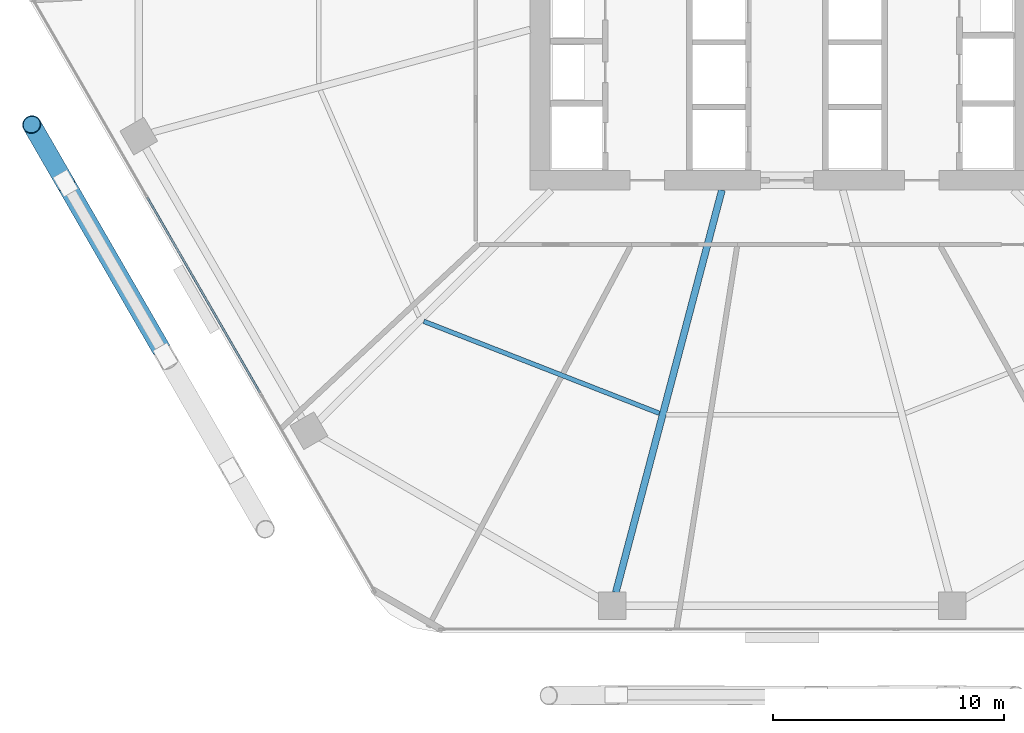
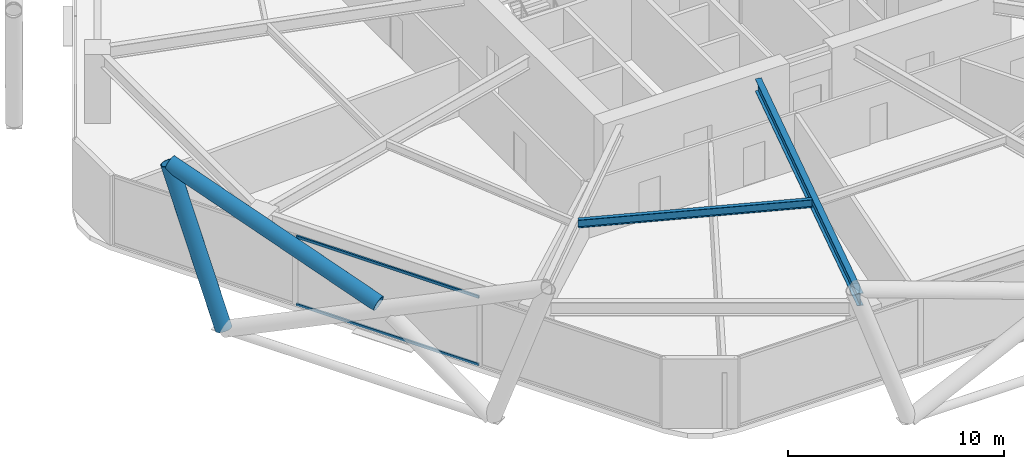
# One storey, part 4 of 30: 4 members, 2 beams, 1 element without a shape of its own.
"""IFC4 building model written with IfcOpenShell, lengths in metres."""

from ifc_helpers import new_model, si_unit, direction, frame, origin, origin_2d, place, context, subcontext, project, spatial, hollow_rectangle, hollow_circle, i_section, extrude, material, material_profile, profile_set, type_object, element, aggregate, save


model = new_model("IFC4")

# Units and contexts
model_context = context("Model", 3, precision=1e-05, world=origin(), true_north=direction((0.0, 1.0)))
body_context = subcontext(model_context, "Body", "Model", "MODEL_VIEW")
ifc_project = project(units=[si_unit("LENGTHUNIT", "METRE"), si_unit("AREAUNIT", "SQUARE_METRE"), si_unit("VOLUMEUNIT", "CUBIC_METRE"), si_unit("PLANEANGLEUNIT", "RADIAN"), si_unit("MASSUNIT", "GRAM", prefix="KILO")], contexts=[model_context])

# Site, building, storey
site_placement = place(None, origin())
site = spatial("IfcSite", under=ifc_project, at=site_placement, CompositionType="ELEMENT")
building_placement = place(site_placement, origin())
building = spatial("IfcBuilding", under=site, at=building_placement, Name="Zuhravey Tower", CompositionType="ELEMENT")
storey_placement = place(building_placement, frame((0.0, 0.0, 33.0)))
storey = spatial("IfcBuildingStorey", under=building, at=storey_placement, Name="L08", CompositionType="ELEMENT", Elevation=33.0)

# Curtain wall, members
ifc_material_1 = material(Name="Thermally broken anodised aluminium", Category="aluminium")
curtain_wall_type = type_object("IfcCurtainWallType", Name="School Low-E Unitised Curtain Wall CW1", PredefinedType="NOTDEFINED", material=ifc_material_1)
curtain_wall_placement = place(storey_placement, origin())
curtain_wall = element("IfcCurtainWall", 1, at=curtain_wall_placement, inside=storey, type_object=curtain_wall_type, Name="L08 CW1 CW-L08-F4-1", PredefinedType="NOTDEFINED")
ifc_material_2 = material(Name="Anodised aluminium", Category="aluminium")
ifc_material_profile_1 = material_profile(ifc_material_2, hollow_rectangle(XDim=0.090087890625, YDim=0.14990234375, WallThickness=0.0048828125, at=origin_2d()), Name="ALU-RHS-90x150x5")
ifc_profile_set_1 = profile_set([ifc_material_profile_1], Name="Anodised aluminium")
member_type_1 = type_object("IfcMemberType", Name="Curtain-Wall Transom 90x150", PredefinedType="USERDEFINED", material=ifc_profile_set_1)
member_1_placement = place(storey_placement, frame((13.365234375, 13.287353515625, 0.044921875), z_axis=(-0.499990498062, 0.866030889661, 0.0), x_axis=(-0.866030889661, -0.499990498062, 0.0)))
member_1 = element("IfcMember", 2, at=member_1_placement, type_object=member_type_1, Name="CW1 transom 2.1", ObjectType="TRANSOM", PredefinedType="USERDEFINED", context=body_context, shape_type="SweptSolid", body=[
    extrude(hollow_rectangle(XDim=0.090087890625, YDim=0.14990234375, WallThickness=0.0048828125, at=origin_2d()), origin(), (0.0, 0.0, 1.0), 9.776611328125),
])
member_2_placement = place(storey_placement, frame((13.365234375, 13.287353515625, 3.875), z_axis=(-0.499990498062, 0.866030889661, 0.0), x_axis=(-0.866030889661, -0.499990498062, 0.0)))
member_2 = element("IfcMember", 3, at=member_2_placement, type_object=member_type_1, Name="CW1 transom 2.2", ObjectType="TRANSOM", PredefinedType="USERDEFINED", context=body_context, shape_type="SweptSolid", body=[
    extrude(hollow_rectangle(XDim=0.090087890625, YDim=0.14990234375, WallThickness=0.0048828125, at=origin_2d()), origin(), (0.0, 0.0, 1.0), 9.776611328125),
])
aggregate(curtain_wall, [member_1, member_2])

# Members
ifc_material_3 = material(Name="Steel SM460", Category="steel")
ifc_material_profile_2 = material_profile(ifc_material_3, hollow_circle(Radius=0.406494140625, WallThickness=0.035888671875, at=origin_2d()), Name="CHS-812.8x36")
ifc_profile_set_2 = profile_set([ifc_material_profile_2], Name="Steel SM460")
member_type_2 = type_object("IfcMemberType", Name="Exoskeleton Zone 1 Diagrid CHS813x36", PredefinedType="BRACE", material=ifc_profile_set_2)
member_3_placement = place(storey_placement, frame((4.93017578125, 22.37744140625, -0.471923828125), z_axis=(-0.165307317227, 0.286358046605, 0.943754501984), x_axis=(-0.866053660865, -0.499951054106, 0.0)))
element("IfcMember", 4, at=member_3_placement, inside=storey, type_object=member_type_2, Name="L08 Face 4 Diagrid Brace 1", PredefinedType="BRACE", context=body_context, shape_type="SweptSolid", body=[
    extrude(hollow_circle(Radius=0.406494140625, WallThickness=0.035888671875, at=origin_2d()), origin(), (0.0, 0.0, 1.0), 8.85400390625),
])
member_4_placement = place(storey_placement, frame((9.080322265625, 15.189208984375, 3.8408203125), z_axis=(-0.470165522703, 0.814361240323, 0.340235435427), x_axis=(-0.866028239721, -0.499995087982, 0.0)))
element("IfcMember", 5, at=member_4_placement, inside=storey, type_object=member_type_2, Name="L08 Face 4 Split Diagrid Brace 3B", PredefinedType="BRACE", context=body_context, shape_type="SweptSolid", body=[
    extrude(hollow_circle(Radius=0.406494140625, WallThickness=0.035888671875, at=origin_2d()), origin(), (0.0, 0.0, 1.0), 11.89794921875),
])

# Beams
ifc_material_4 = material(Name="Steel SM355", Category="steel")
ifc_material_profile_3 = material_profile(ifc_material_4, i_section(OverallWidth=0.300048828125, OverallDepth=0.699951171875, WebThickness=0.012939453125, FlangeThickness=0.02392578125, at=origin_2d()), Name="H-700x300x13x24")
ifc_profile_set_3 = profile_set([ifc_material_profile_3], Name="Steel SM355")
beam_type_1 = type_object("IfcBeamType", Name="Radial Primary Girder H700x300", PredefinedType="BEAM", material=ifc_profile_set_3)
beam_1_placement = place(storey_placement, frame((33.382080078125, 22.072021484375, 3.570068359375), z_axis=(-0.254989720435, -0.966943763862, 0.0), x_axis=(0.966943763862, -0.254989720435, 0.0)))
element("IfcBeam", 6, at=beam_1_placement, inside=storey, type_object=beam_type_1, Name="L08 RG1 BM-L08-RAD-09", PredefinedType="BEAM", context=body_context, shape_type="SweptSolid", body=[
    extrude(i_section(OverallWidth=0.300048828125, OverallDepth=0.699951171875, WebThickness=0.012939453125, FlangeThickness=0.02392578125, at=origin_2d()), origin(), (0.0, 0.0, 1.0), 18.03369140625),
])
ifc_material_profile_4 = material_profile(ifc_material_4, i_section(OverallWidth=0.199951171875, OverallDepth=0.449951171875, WebThickness=0.009033203125, FlangeThickness=0.013916015625, at=origin_2d()), Name="H-450x200x9x14")
ifc_profile_set_4 = profile_set([ifc_material_profile_4], Name="Steel SM355")
beam_type_2 = type_object("IfcBeamType", Name="Secondary Floor Joist H450x200", PredefinedType="JOIST", material=ifc_profile_set_4)
beam_2_placement = place(storey_placement, frame((20.4599609375, 16.38427734375, 3.695068359375), z_axis=(0.931516535886, -0.363698973562, 0.0), x_axis=(0.363698973562, 0.931516535886, 0.0)))
element("IfcBeam", 7, at=beam_2_placement, inside=storey, type_object=beam_type_2, Name="L08 SJ1 BM-L08-SJ-08-1", PredefinedType="JOIST", context=body_context, shape_type="SweptSolid", body=[
    extrude(i_section(OverallWidth=0.199951171875, OverallDepth=0.449951171875, WebThickness=0.009033203125, FlangeThickness=0.013916015625, at=origin_2d()), origin(), (0.0, 0.0, 1.0), 10.963134765625),
])

save(model, "model.ifc")
